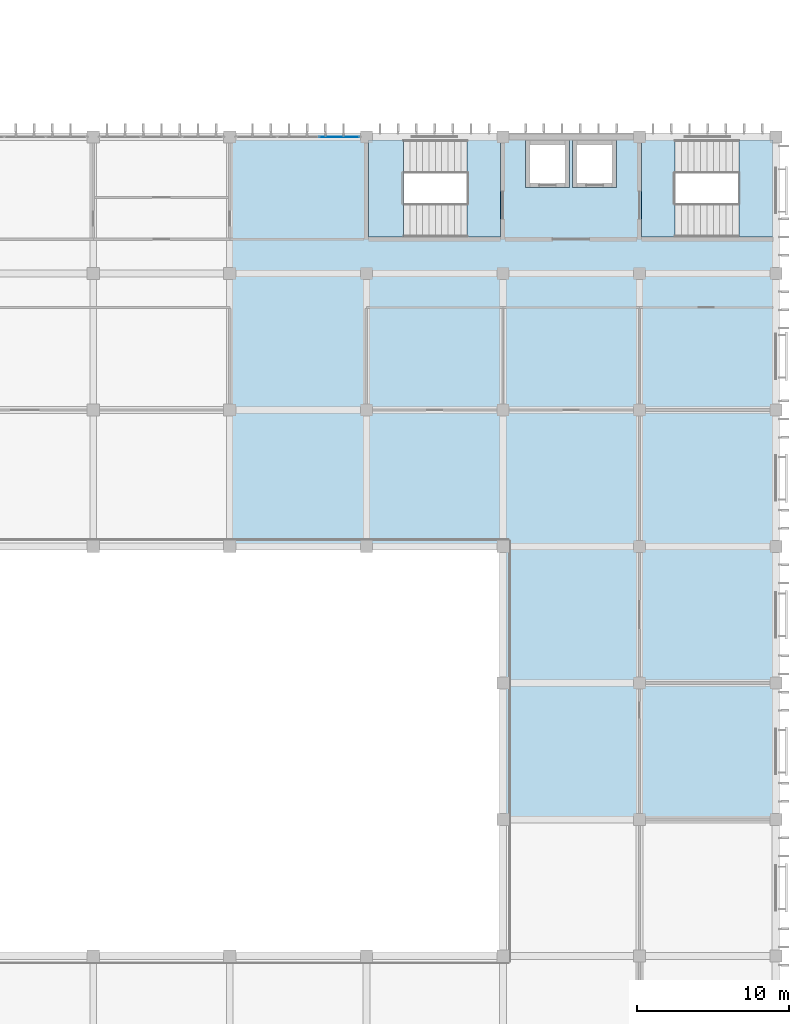
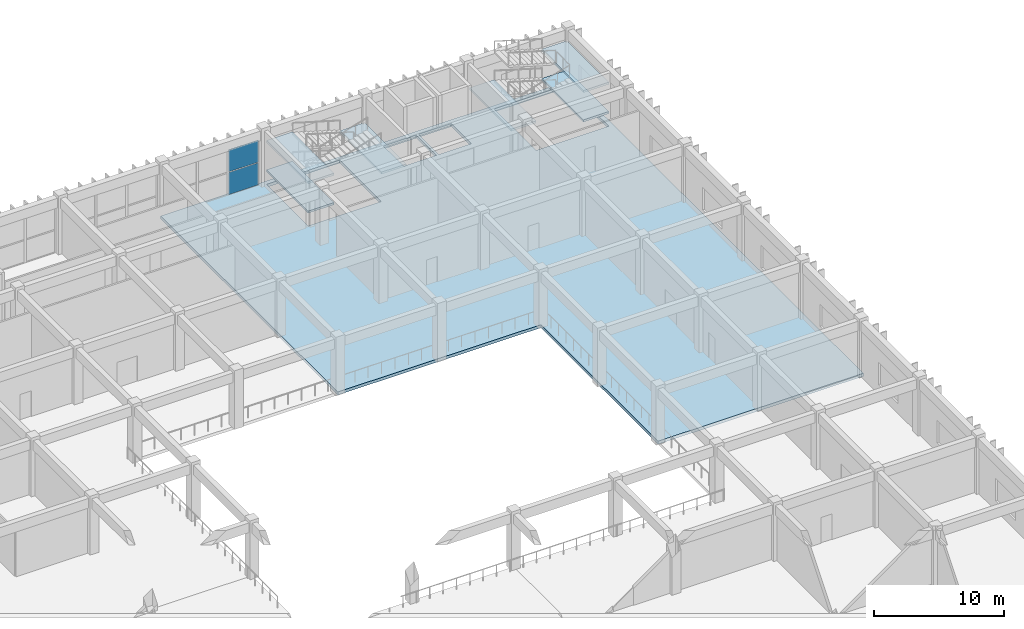
# One storey, part 98 of 185: 7 slabs, 2 plates, 3 elements without a shape of their own.
"""IFC4 building model written with IfcOpenShell, lengths in metres."""

from ifc_helpers import new_model, si_unit, direction, frame, origin, origin_2d, place, context, subcontext, project, spatial, polyline, rectangle, outline, extrude, material, layer, layer_set, type_object, element, aggregate, save


model = new_model("IFC4")

# Units and contexts
model_context = context("Model", 3, precision=1e-05, world=origin(), true_north=direction((0.0, 1.0)))
body_context = subcontext(model_context, "Body", "Model", "MODEL_VIEW")
ifc_project = project(units=[si_unit("LENGTHUNIT", "METRE"), si_unit("AREAUNIT", "SQUARE_METRE"), si_unit("VOLUMEUNIT", "CUBIC_METRE"), si_unit("PLANEANGLEUNIT", "RADIAN"), si_unit("MASSUNIT", "GRAM", prefix="KILO")], contexts=[model_context])

# Site, building, storey
site_placement = place(None, origin())
site = spatial("IfcSite", under=ifc_project, at=site_placement, CompositionType="ELEMENT")
building_placement = place(site_placement, origin())
building = spatial("IfcBuilding", under=site, at=building_placement, Name="Opaline Strait Convention Centre", CompositionType="ELEMENT")
storey_placement = place(building_placement, frame((0.0, 0.0, 6.0)))
storey = spatial("IfcBuildingStorey", under=building, at=storey_placement, Name="L01", CompositionType="ELEMENT", Elevation=6.0)

# Curtain wall, plates
ifc_material_1 = material(Name="Aluminium framed double glazing", Category="aluminium")
ifc_layer_1 = layer(ifc_material_1, 0.199951171875)
ifc_layer_set_1 = layer_set([ifc_layer_1], Name="Aluminium framed double glazing")
curtain_wall_type = type_object("IfcCurtainWallType", Name="Curtain wall 3000 module unitised", PredefinedType="NOTDEFINED", material=ifc_layer_set_1)
curtain_wall_placement = place(storey_placement, origin())
curtain_wall = element("IfcCurtainWall", 1, at=curtain_wall_placement, inside=storey, type_object=curtain_wall_type, Name="Curtain wall N L01 37/W", PredefinedType="NOTDEFINED")
ifc_material_2 = material(Name="Double glazed unit low emissivity", Category="glass")
ifc_layer_2 = layer(ifc_material_2, 0.028076171875)
ifc_layer_set_2 = layer_set([ifc_layer_2], Name="Double glazed unit low emissivity")
plate_type = type_object("IfcPlateType", Name="Curtain wall glass panel 28", PredefinedType="CURTAIN_PANEL", material=ifc_layer_set_2)
plate_1_placement = place(storey_placement, frame((331.218505859375, 180.0, 0.06005859375), z_axis=(0.0, 0.0, 1.0), x_axis=(1.0, 0.0, 0.0)))
plate_1 = element("IfcPlate", 2, at=plate_1_placement, type_object=plate_type, Name="MCWR1 panel 3.1", PredefinedType="CURTAIN_PANEL", context=body_context, shape_type="SweptSolid", body=[
    extrude(rectangle(XDim=2.643310546875, YDim=0.028076171875, at=origin_2d()), origin(), (0.0, 0.0, 1.0), 2.070068359375),
])
plate_2_placement = place(storey_placement, frame((331.218505859375, 180.0, 2.18994140625), z_axis=(0.0, 0.0, 1.0), x_axis=(1.0, 0.0, 0.0)))
plate_2 = element("IfcPlate", 3, at=plate_2_placement, type_object=plate_type, Name="MCWR1 panel 3.2", PredefinedType="CURTAIN_PANEL", context=body_context, shape_type="SweptSolid", body=[
    extrude(rectangle(XDim=2.643310546875, YDim=0.028076171875, at=origin_2d()), origin(), (0.0, 0.0, 1.0), 2.070068359375),
])
aggregate(curtain_wall, [plate_1, plate_2])

# Slab
ifc_material_3 = material(Name="Concrete C35", Category="concrete")
ifc_layer_3 = layer(ifc_material_3, 0.280029296875)
ifc_layer_set_3 = layer_set([ifc_layer_3], Name="Concrete C35")
slab_type_1 = type_object("IfcSlabType", Name="RC floor slab 280 C35", PredefinedType="FLOOR", material=ifc_layer_set_3)
slab_1_placement = place(storey_placement, frame((0.0, 0.0, -0.280029296875)))
element("IfcSlab", 4, at=slab_1_placement, inside=storey, type_object=slab_type_1, Name="XS2 L01 slab pour NE", PredefinedType="FLOOR", context=body_context, shape_type="SweptSolid", body=[
    extrude(outline(polyline([(360.199951171875, 180.199951171875), (360.199951171875, 135.0), (342.0, 135.0), (342.0, 153.0), (324.0, 153.0), (324.0, 180.199951171875), (360.199951171875, 180.199951171875)]), holes=[polyline([(353.3505859375, 179.7998046875), (353.3505859375, 173.39990234375), (359.7998046875, 173.39990234375), (359.7998046875, 179.7998046875), (353.3505859375, 179.7998046875)]), polyline([(333.150146484375, 179.800048828125), (333.150146484375, 173.400146484375), (339.6494140625, 173.400146484375), (339.6494140625, 179.800048828125), (333.150146484375, 179.800048828125)]), polyline([(343.5, 179.75), (343.5, 176.64990234375), (346.39990234375, 176.64990234375), (346.39990234375, 179.75), (343.5, 179.75)]), polyline([(346.60009765625, 179.75), (346.60009765625, 176.64990234375), (349.5, 176.64990234375), (349.5, 179.75), (346.60009765625, 179.75)])]), origin(), (0.0, 0.0, 1.0), 0.280029296875),
])

# Stair, slabs
ifc_material_4 = material(Name="Concrete C40", Category="concrete")
stair_type = type_object("IfcStairType", Name="Escape stair half-turn 2200 concrete C40", PredefinedType="HALF_TURN_STAIR", material=ifc_material_4)
stair_1_placement = place(storey_placement, origin())
stair_1 = element("IfcStair", 5, at=stair_1_placement, inside=storey, type_object=stair_type, Name="L01 Stair S7-MTG", ObjectType="MST1", PredefinedType="HALF_TURN_STAIR")
ifc_layer_4 = layer(ifc_material_4, 0.199951171875)
ifc_layer_set_4 = layer_set([ifc_layer_4], Name="Concrete C40")
slab_type_2 = type_object("IfcSlabType", Name="Stair landing 200 concrete C40", PredefinedType="LANDING", material=ifc_layer_set_4)
slab_2_placement = place(storey_placement, frame((0.0, 0.0, 1.175048828125)))
slab_2 = element("IfcSlab", 6, at=slab_2_placement, type_object=slab_type_2, Name="S7 landing 1", ObjectType="MSL1", PredefinedType="LANDING", context=body_context, shape_type="SweptSolid", body=[
    extrude(outline(polyline([(357.5498046875, 173.39990234375), (359.7998046875, 173.39990234375), (359.7998046875, 179.7998046875), (357.5498046875, 179.7998046875), (357.5498046875, 173.39990234375)])), origin(), (0.0, 0.0, 1.0), 0.199951171875),
])
slab_3_placement = place(storey_placement, frame((0.0, 0.0, 2.550048828125)))
slab_3 = element("IfcSlab", 7, at=slab_3_placement, type_object=slab_type_2, Name="S7 landing 2", ObjectType="MSL1", PredefinedType="LANDING", context=body_context, shape_type="SweptSolid", body=[
    extrude(outline(polyline([(351.14990234375, 173.39990234375), (353.349853515625, 173.39990234375), (353.349853515625, 179.7998046875), (351.14990234375, 179.7998046875), (351.14990234375, 173.39990234375)])), origin(), (0.0, 0.0, 1.0), 0.199951171875),
])
slab_4_placement = place(storey_placement, frame((0.0, 0.0, 3.925048828125)))
slab_4 = element("IfcSlab", 8, at=slab_4_placement, type_object=slab_type_2, Name="S7 landing 3", ObjectType="MSL1", PredefinedType="LANDING", context=body_context, shape_type="SweptSolid", body=[
    extrude(outline(polyline([(357.5498046875, 173.39990234375), (359.7998046875, 173.39990234375), (359.7998046875, 179.7998046875), (357.5498046875, 179.7998046875), (357.5498046875, 173.39990234375)])), origin(), (0.0, 0.0, 1.0), 0.199951171875),
])
aggregate(stair_1, [slab_2, slab_3, slab_4])

stair_2_placement = place(storey_placement, origin())
stair_2 = element("IfcStair", 9, at=stair_2_placement, inside=storey, type_object=stair_type, Name="L01 Stair S8-MTG", ObjectType="MST1", PredefinedType="HALF_TURN_STAIR")
slab_5_placement = place(storey_placement, frame((0.0, 0.0, 1.175048828125)))
slab_5 = element("IfcSlab", 10, at=slab_5_placement, type_object=slab_type_2, Name="S8 landing 1", ObjectType="MSL1", PredefinedType="LANDING", context=body_context, shape_type="SweptSolid", body=[
    extrude(outline(polyline([(335.4501953125, 179.800048828125), (333.150146484375, 179.800048828125), (333.150146484375, 173.400146484375), (335.4501953125, 173.400146484375), (335.4501953125, 179.800048828125)])), origin(), (0.0, 0.0, 1.0), 0.199951171875),
])
slab_6_placement = place(storey_placement, frame((0.0, 0.0, 2.550048828125)))
slab_6 = element("IfcSlab", 11, at=slab_6_placement, type_object=slab_type_2, Name="S8 landing 2", ObjectType="MSL1", PredefinedType="LANDING", context=body_context, shape_type="SweptSolid", body=[
    extrude(outline(polyline([(341.85009765625, 179.800048828125), (339.650146484375, 179.800048828125), (339.650146484375, 173.400146484375), (341.85009765625, 173.400146484375), (341.85009765625, 179.800048828125)])), origin(), (0.0, 0.0, 1.0), 0.199951171875),
])
slab_7_placement = place(storey_placement, frame((0.0, 0.0, 3.925048828125)))
slab_7 = element("IfcSlab", 12, at=slab_7_placement, type_object=slab_type_2, Name="S8 landing 3", ObjectType="MSL1", PredefinedType="LANDING", context=body_context, shape_type="SweptSolid", body=[
    extrude(outline(polyline([(335.4501953125, 179.800048828125), (333.150146484375, 179.800048828125), (333.150146484375, 173.400146484375), (335.4501953125, 173.400146484375), (335.4501953125, 179.800048828125)])), origin(), (0.0, 0.0, 1.0), 0.199951171875),
])
aggregate(stair_2, [slab_5, slab_6, slab_7])

save(model, "model.ifc")
